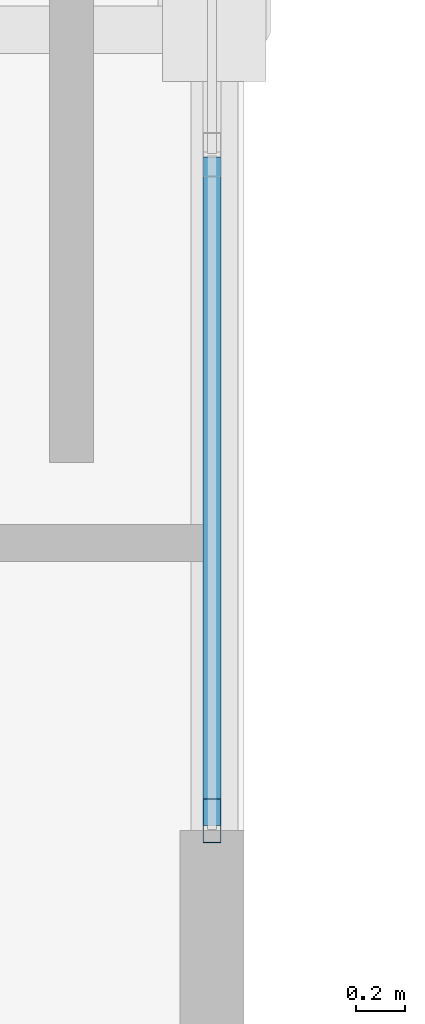
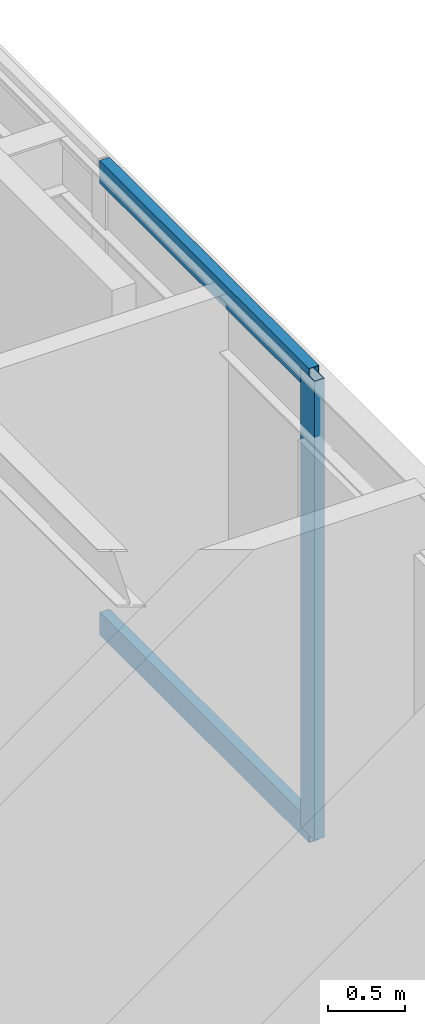
# One storey, part 2 of 18: 3 members, 1 element without a shape of its own.
"""IFC4 building model written with IfcOpenShell, lengths in metres."""

from ifc_helpers import new_model, si_unit, direction, frame, origin, origin_2d, place, context, subcontext, project, spatial, hollow_rectangle, extrude, material, material_profile, profile_set, type_object, element, aggregate, save


model = new_model("IFC4")

# Units and contexts
model_context = context("Model", 3, precision=1e-05, world=origin(), true_north=direction((0.0, 1.0)))
body_context = subcontext(model_context, "Body", "Model", "MODEL_VIEW")
ifc_project = project(units=[si_unit("LENGTHUNIT", "METRE"), si_unit("AREAUNIT", "SQUARE_METRE"), si_unit("VOLUMEUNIT", "CUBIC_METRE"), si_unit("PLANEANGLEUNIT", "RADIAN"), si_unit("MASSUNIT", "GRAM", prefix="KILO")], contexts=[model_context])

# Site, building, storey
site_placement = place(None, origin())
site = spatial("IfcSite", under=ifc_project, at=site_placement, CompositionType="ELEMENT")
building_placement = place(site_placement, origin())
building = spatial("IfcBuilding", under=site, at=building_placement, Name="Ventersveld Concourse Tower", CompositionType="ELEMENT")
storey_placement = place(building_placement, frame((0.0, 0.0, 341.35009765625)))
storey = spatial("IfcBuildingStorey", under=building, at=storey_placement, Name="L84", CompositionType="ELEMENT", Elevation=341.35009765625)

# Curtain wall, members
ifc_material = material(Name="Anodised aluminium EN AW-6063-T6", Category="aluminium")
curtain_wall_type = type_object("IfcCurtainWallType", Name="CW-WP-5", PredefinedType="NOTDEFINED", material=ifc_material)
curtain_wall_placement = place(storey_placement, origin())
curtain_wall = element("IfcCurtainWall", 1, at=curtain_wall_placement, inside=storey, type_object=curtain_wall_type, Name="L84 L84 Wind Portal Aerodynamic Cheek Curtain Wall", PredefinedType="NOTDEFINED")
ifc_material_profile_1 = material_profile(ifc_material, hollow_rectangle(XDim=0.074951171875, YDim=0.179931640625, WallThickness=0.00390625, at=origin_2d()), Name="ALU 180x75x4")
ifc_profile_set_1 = profile_set([ifc_material_profile_1], Name="Anodised aluminium EN AW-6063-T6")
member_type_1 = type_object("IfcMemberType", Name="CWM-180x75", PredefinedType="MULLION", material=ifc_profile_set_1)
member_1_placement = place(storey_placement, frame((23.3701171875, 14.2900390625, 0.0), z_axis=(0.0, 0.0, 1.0), x_axis=(1.0, 0.0, 0.0)))
member_1 = element("IfcMember", 2, at=member_1_placement, type_object=member_type_1, Name="CW-L84-WP-W Mullion 01", PredefinedType="MULLION", context=body_context, shape_type="SweptSolid", body=[
    extrude(hollow_rectangle(XDim=0.074951171875, YDim=0.179931640625, WallThickness=0.00390625, at=origin_2d()), origin(), (0.0, 0.0, 1.0), 3.6298828125),
])
ifc_material_profile_2 = material_profile(ifc_material, hollow_rectangle(XDim=0.074951171875, YDim=0.179931640625, WallThickness=0.00390625, at=origin_2d()), Name="ALU 180x75x4")
ifc_profile_set_2 = profile_set([ifc_material_profile_2], Name="Anodised aluminium EN AW-6063-T6")
member_type_2 = type_object("IfcMemberType", Name="CWT-180x75", PredefinedType="USERDEFINED", material=ifc_profile_set_2)
member_2_placement = place(storey_placement, frame((23.3701171875, 14.27001953125, 0.02978515625), z_axis=(0.0, 1.0, 0.0), x_axis=(-1.0, 0.0, 0.0)))
member_2 = element("IfcMember", 3, at=member_2_placement, type_object=member_type_2, Name="CW-L84-WP-W Transom 1-01", ObjectType="TRANSOM", PredefinedType="USERDEFINED", context=body_context, shape_type="SweptSolid", body=[
    extrude(hollow_rectangle(XDim=0.074951171875, YDim=0.179931640625, WallThickness=0.00390625, at=origin_2d()), origin(), (0.0, 0.0, 1.0), 2.712890625),
])
member_3_placement = place(storey_placement, frame((23.3701171875, 14.27001953125, 3.599853515625), z_axis=(0.0, 1.0, 0.0), x_axis=(-1.0, 0.0, 0.0)))
member_3 = element("IfcMember", 4, at=member_3_placement, type_object=member_type_2, Name="CW-L84-WP-W Transom 2-01", ObjectType="TRANSOM", PredefinedType="USERDEFINED", context=body_context, shape_type="SweptSolid", body=[
    extrude(hollow_rectangle(XDim=0.074951171875, YDim=0.179931640625, WallThickness=0.00390625, at=origin_2d()), origin(), (0.0, 0.0, 1.0), 2.712890625),
])
aggregate(curtain_wall, [member_1, member_2, member_3])

save(model, "model.ifc")
